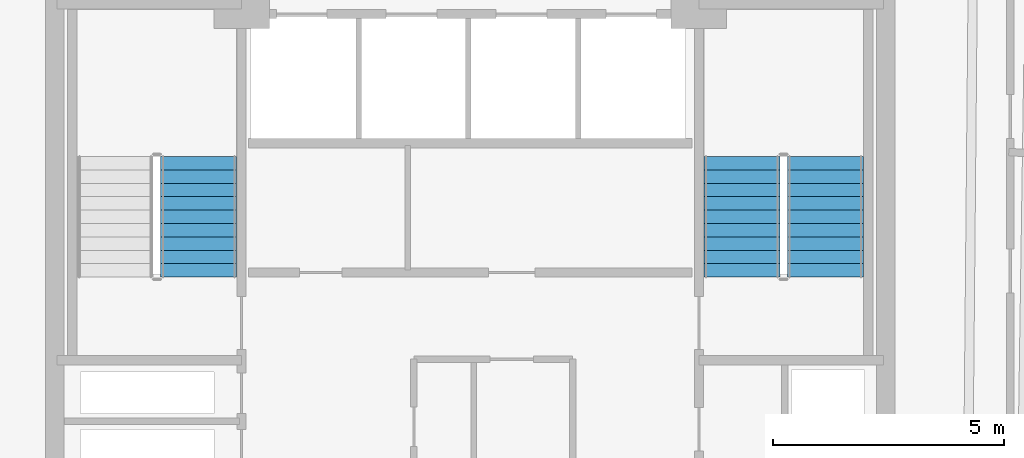
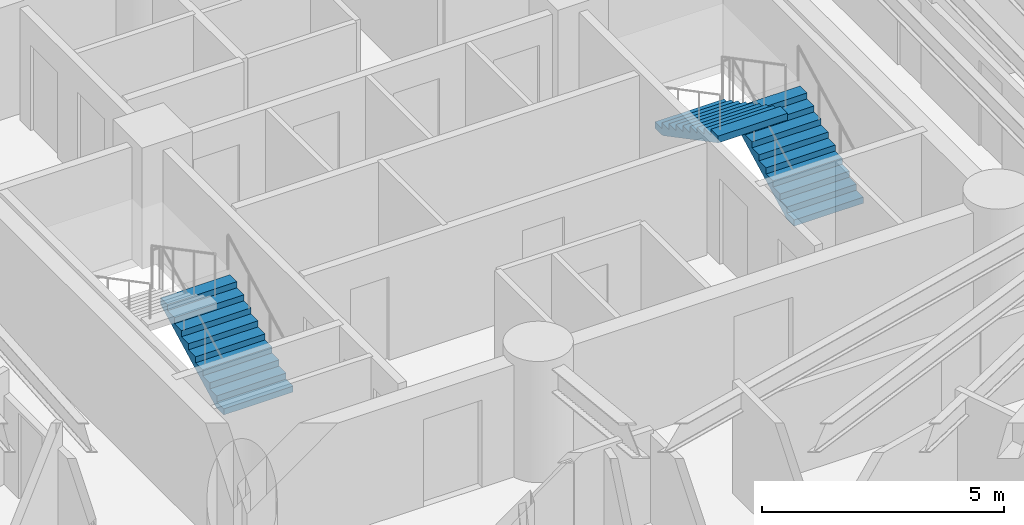
# One storey, part 7 of 8: 3 stair flights, 2 elements without a shape of their own.
"""IFC4 building model written with IfcOpenShell, lengths in metres."""

from ifc_helpers import new_model, si_unit, direction, frame, origin, place, context, subcontext, project, spatial, polyline, outline, extrude, material, type_object, element, aggregate, save


model = new_model("IFC4")

# Units and contexts
model_context = context("Model", 3, precision=1e-05, world=origin(), true_north=direction((0.0, 1.0)))
body_context = subcontext(model_context, "Body", "Model", "MODEL_VIEW")
ifc_project = project(units=[si_unit("LENGTHUNIT", "METRE"), si_unit("AREAUNIT", "SQUARE_METRE"), si_unit("VOLUMEUNIT", "CUBIC_METRE"), si_unit("PLANEANGLEUNIT", "RADIAN"), si_unit("MASSUNIT", "GRAM", prefix="KILO")], contexts=[model_context])

# Site, building, storey
site_placement = place(None, origin())
site = spatial("IfcSite", under=ifc_project, at=site_placement, CompositionType="ELEMENT")
building_placement = place(site_placement, origin())
building = spatial("IfcBuilding", under=site, at=building_placement, Name="Karkom Vertical University and Central Library", CompositionType="ELEMENT")
storey_placement = place(building_placement, frame((0.0, 0.0, 141.949951171875)))
storey = spatial("IfcBuildingStorey", under=building, at=storey_placement, Name="L40", CompositionType="ELEMENT", Elevation=141.949951171875)

# Stair, stair flight
ifc_material = material(Name="Concrete C45/55", Category="concrete")
stair_type = type_object("IfcStairType", Name="INT-STR-ST-MAIN", PredefinedType="HALF_TURN_STAIR", material=ifc_material)
stair_1_placement = place(storey_placement, origin())
stair_1 = element("IfcStair", 1, at=stair_1_placement, inside=storey, type_object=stair_type, Name="Level 40 Tower Protected Exit Stair ST-1", PredefinedType="HALF_TURN_STAIR")
stair_flight_type = type_object("IfcStairFlightType", Name="INT-SFL-ST-MAIN", PredefinedType="STRAIGHT", material=ifc_material)
stair_flight_1_placement = place(storey_placement, frame((22.614990234375, 23.02001953125, 0.0), z_axis=(0.0, 0.0, 1.0), x_axis=(0.0, 1.0, 0.0)))
stair_flight_1 = element("IfcStairFlight", 2, at=stair_flight_1_placement, type_object=stair_flight_type, Name="ST-1 flight 1", NumberOfRisers=10, NumberOfTreads=9, PredefinedType="STRAIGHT", RiserHeight=0.1525, TreadLength=0.29, context=body_context, shape_type="SweptSolid", body=[
    extrude(outline(polyline([(0.0, 0.0), (0.0, 0.152587890625), (0.2900390625, 0.152587890625), (0.2900390625, 0.304931640625), (0.580078125, 0.304931640625), (0.580078125, 0.45751953125), (0.8701171875, 0.45751953125), (0.8701171875, 0.610107421875), (1.159912109375, 0.610107421875), (1.159912109375, 0.762451171875), (1.449951171875, 0.762451171875), (1.449951171875, 0.9150390625), (1.739990234375, 0.9150390625), (1.739990234375, 1.0673828125), (2.030029296875, 1.0673828125), (2.030029296875, 1.219970703125), (2.320068359375, 1.219970703125), (2.320068359375, 1.37255859375), (2.610107421875, 1.37255859375), (2.610107421875, 1.52490234375), (2.610107421875, 1.203125), (0.322021484375, 0.0), (0.0, 0.0)])), frame((0.0, 0.824951171875, 0.0), z_axis=(0.0, -1.0, 0.0), x_axis=(1.0, 0.0, 0.0)), (0.0, 0.0, 1.0), 1.64990234375),
])
aggregate(stair_1, [stair_flight_1])

# Stair, stair flights
stair_2_placement = place(storey_placement, origin())
stair_2 = element("IfcStair", 3, at=stair_2_placement, inside=storey, type_object=stair_type, Name="Level 40 Tower Protected Exit Stair ST-2", PredefinedType="HALF_TURN_STAIR")
stair_flight_2_placement = place(storey_placement, frame((36.195068359375, 23.02001953125, 0.0), z_axis=(0.0, 0.0, 1.0), x_axis=(0.0, 1.0, 0.0)))
stair_flight_2 = element("IfcStairFlight", 4, at=stair_flight_2_placement, type_object=stair_flight_type, Name="ST-2 flight 1", NumberOfRisers=10, NumberOfTreads=9, PredefinedType="STRAIGHT", RiserHeight=0.1525, TreadLength=0.29, context=body_context, shape_type="SweptSolid", body=[
    extrude(outline(polyline([(0.0, 0.0), (0.0, 0.152587890625), (0.2900390625, 0.152587890625), (0.2900390625, 0.304931640625), (0.580078125, 0.304931640625), (0.580078125, 0.45751953125), (0.8701171875, 0.45751953125), (0.8701171875, 0.610107421875), (1.159912109375, 0.610107421875), (1.159912109375, 0.762451171875), (1.449951171875, 0.762451171875), (1.449951171875, 0.9150390625), (1.739990234375, 0.9150390625), (1.739990234375, 1.0673828125), (2.030029296875, 1.0673828125), (2.030029296875, 1.219970703125), (2.320068359375, 1.219970703125), (2.320068359375, 1.37255859375), (2.610107421875, 1.37255859375), (2.610107421875, 1.52490234375), (2.610107421875, 1.203125), (0.322021484375, 0.0), (0.0, 0.0)])), frame((0.0, 0.824951171875, 0.0), z_axis=(0.0, -1.0, 0.0), x_axis=(1.0, 0.0, 0.0)), (0.0, 0.0, 1.0), 1.64990234375),
])
stair_flight_3_placement = place(storey_placement, frame((34.385009765625, 25.6298828125, 1.525146484375), z_axis=(0.0, 0.0, 1.0), x_axis=(0.0, -1.0, 0.0)))
stair_flight_3 = element("IfcStairFlight", 5, at=stair_flight_3_placement, type_object=stair_flight_type, Name="ST-2 flight 2", NumberOfRisers=10, NumberOfTreads=9, PredefinedType="STRAIGHT", RiserHeight=0.1525, TreadLength=0.29, context=body_context, shape_type="SweptSolid", body=[
    extrude(outline(polyline([(0.0, 0.0), (0.0, 0.152587890625), (0.2900390625, 0.152587890625), (0.2900390625, 0.304931640625), (0.580078125, 0.304931640625), (0.580078125, 0.45751953125), (0.8701171875, 0.45751953125), (0.8701171875, 0.610107421875), (1.159912109375, 0.610107421875), (1.159912109375, 0.762451171875), (1.449951171875, 0.762451171875), (1.449951171875, 0.9150390625), (1.739990234375, 0.9150390625), (1.739990234375, 1.0673828125), (2.030029296875, 1.0673828125), (2.030029296875, 1.219970703125), (2.320068359375, 1.219970703125), (2.320068359375, 1.37255859375), (2.610107421875, 1.37255859375), (2.610107421875, 1.52490234375), (2.610107421875, 1.203125), (0.322021484375, 0.0), (0.0, 0.0)])), frame((0.0, 0.824951171875, 0.0), z_axis=(0.0, -1.0, 0.0), x_axis=(1.0, 0.0, 0.0)), (0.0, 0.0, 1.0), 1.64990234375),
])
aggregate(stair_2, [stair_flight_2, stair_flight_3])

save(model, "model.ifc")
